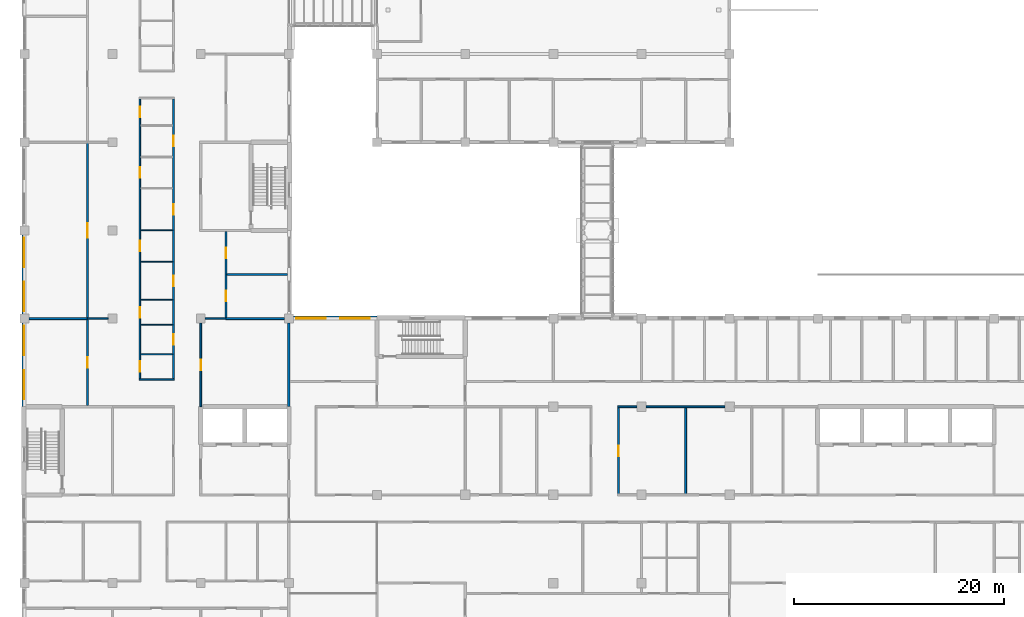
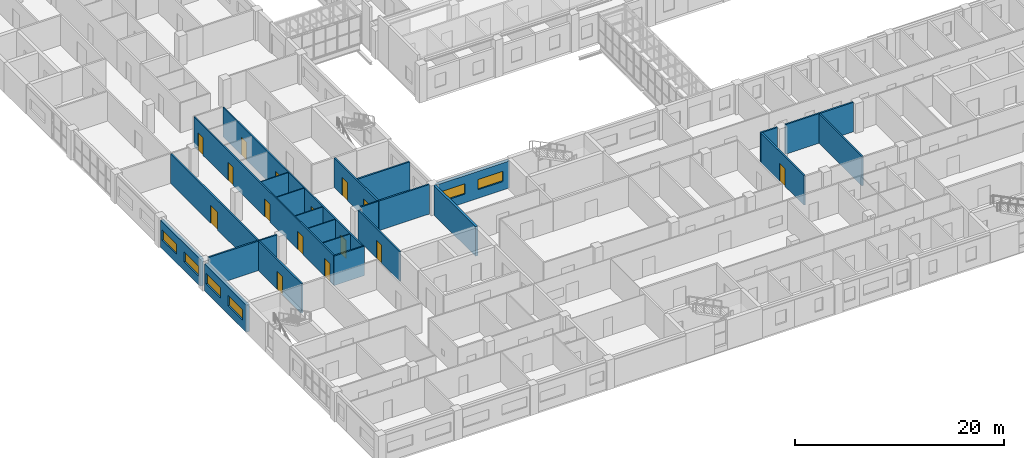
# One storey, part 55 of 94: 25 walls, 15 doors, 6 windows, 21 openings.
"""IFC4 building model written with IfcOpenShell, lengths in metres."""

from ifc_helpers import new_model, si_unit, direction, frame, frame_2d, origin, place, context, subcontext, project, spatial, rectangle, extrude, material, layer, layer_set, type_object, element, fill, save


model = new_model("IFC4")

# Units and contexts
model_context = context("Model", 3, precision=1e-05, world=origin(), true_north=direction((0.0, 1.0)))
body_context = subcontext(model_context, "Body", "Model", "MODEL_VIEW")
ifc_project = project(units=[si_unit("LENGTHUNIT", "METRE"), si_unit("AREAUNIT", "SQUARE_METRE"), si_unit("VOLUMEUNIT", "CUBIC_METRE"), si_unit("PLANEANGLEUNIT", "RADIAN"), si_unit("MASSUNIT", "GRAM", prefix="KILO")], contexts=[model_context])

# Site, building, storey
site_placement = place(None, origin())
site = spatial("IfcSite", under=ifc_project, at=site_placement, CompositionType="ELEMENT")
building_placement = place(site_placement, origin())
building = spatial("IfcBuilding", under=site, at=building_placement, Name="Yavir Park General Hospital", CompositionType="ELEMENT")
storey_placement = place(building_placement, frame((0.0, 0.0, 4.5)))
storey = spatial("IfcBuildingStorey", under=building, at=storey_placement, Name="L01", CompositionType="ELEMENT", Elevation=4.5)

# Walls
ifc_material_1 = material(Name="Double-leaf gypsum board acoustic partition on staggered studs")
ifc_layer_1 = layer(ifc_material_1, 0.175048828125)
ifc_layer_set_1 = layer_set([ifc_layer_1], Name="Double-leaf gypsum board acoustic partition on staggered studs")
wall_type_1 = type_object("IfcWallType", Name="Acoustic partition 175", PredefinedType="PARTITIONING", material=ifc_layer_set_1)
wall_1_placement = place(storey_placement, frame((56.512451171875, 25.199951171875, 0.0), z_axis=(0.0, 0.0, 1.0), x_axis=(1.0, 0.0, 0.0)))
element("IfcWall", 1, at=wall_1_placement, inside=storey, type_object=wall_type_1, Name="AP175 L01-099", PredefinedType="PARTITIONING", context=body_context, shape_type="SweptSolid", body=[
    extrude(rectangle(XDim=1.837646484375, YDim=0.175048828125, at=frame_2d((0.9189453125, 0.0))), origin(), (0.0, 0.0, 1.0), 3.449951171875),
])
wall_2_placement = place(storey_placement, frame((59.25, 25.199951171875, 0.0), z_axis=(0.0, 0.0, 1.0), x_axis=(1.0, 0.0, 0.0)))
element("IfcWall", 2, at=wall_2_placement, inside=storey, type_object=wall_type_1, Name="AP175 L01-100", PredefinedType="PARTITIONING", context=body_context, shape_type="SweptSolid", body=[
    extrude(rectangle(XDim=7.5, YDim=0.175048828125, at=frame_2d((3.75, 0.0))), origin(), (0.0, 0.0, 1.0), 3.449951171875),
])
for number, where, z_axis, x_axis, name in (
    (3, (0.425048828125, 33.60009765625, 0.0), (0.0, 0.0, 1.0), (1.0, 0.0, 0.0), "AP175 L01-127"),
    (4, (19.199951171875, 33.60009765625, 0.0), (0.0, 0.0, 1.0), (1.0, 0.0, 0.0), "AP175 L01-130"),
):
    element("IfcWall", number, at=place(storey_placement, frame(where, z_axis=z_axis, x_axis=x_axis)), inside=storey, type_object=wall_type_1, Name=name, PredefinedType="PARTITIONING", context=body_context, shape_type="SweptSolid", body=[
        extrude(rectangle(XDim=5.574951171875, YDim=0.175048828125, at=frame_2d((2.78759765625, 0.0))), origin(), (0.0, 0.0, 1.0), 3.449951171875),
    ])
wall_3_placement = place(storey_placement, frame((19.28759765625, 37.800048828125, 0.0), z_axis=(0.0, 0.0, 1.0), x_axis=(1.0, 0.0, 0.0)))
element("IfcWall", 5, at=wall_3_placement, inside=storey, type_object=wall_type_1, Name="AP175 L01-137", PredefinedType="PARTITIONING", context=body_context, shape_type="SweptSolid", body=[
    extrude(rectangle(XDim=5.762451171875, YDim=0.175048828125, at=frame_2d((2.88134765625, 0.0))), origin(), (0.0, 0.0, 1.0), 3.449951171875),
])

# Wall, opening, door
wall_4_placement = place(storey_placement, frame((6.0, 25.300048828125, 0.0), z_axis=(0.0, 0.0, 1.0), x_axis=(0.0, 1.0, 0.0)))
wall_4 = element("IfcWall", 6, at=wall_4_placement, inside=storey, type_object=wall_type_1, Name="AP175 L01-278", PredefinedType="PARTITIONING", context=body_context, shape_type="SweptSolid", body=[
    extrude(rectangle(XDim=8.21240234375, YDim=0.175048828125, at=frame_2d((4.106201171875, 0.0))), origin(), (0.0, 0.0, 1.0), 3.449951171875),
])
opening_1_placement = place(wall_4_placement, frame((3.606201171875, 0.0, 0.0)))
opening_1 = element("IfcOpeningElement", 7, at=opening_1_placement, cuts=wall_4, Name="Opening L01.D168", PredefinedType="OPENING", context=body_context, shape_type="SweptSolid", body=[
    extrude(rectangle(XDim=1.0, YDim=2.10009765625, at=frame_2d((0.5, 1.050048828125))), frame((0.0, 0.097412109375, 0.0), z_axis=(0.0, -1.0, 0.0), x_axis=(1.0, 0.0, 0.0)), (0.0, 0.0, 1.0), 0.195068359375),
])
ifc_material_2 = material(Name="Sealed solid-core acoustic door leaf, Rw 42 dB")
door_type_1 = type_object("IfcDoorType", Name="Acoustic door 1000 x 2100", OperationType="SINGLE_SWING_LEFT", PredefinedType="DOOR", material=ifc_material_2)
door_1_placement = place(opening_1_placement, origin())
door_1 = element("IfcDoor", 8, at=door_1_placement, inside=storey, type_object=door_type_1, Name="L01.D168", OperationType="SINGLE_SWING_RIGHT", OverallHeight=2.10009765625, OverallWidth=1.0, PredefinedType="DOOR", context=body_context, shape_type="SweptSolid", body=[
    extrude(rectangle(XDim=1.0, YDim=2.10009765625, at=frame_2d((0.5, 1.050048828125))), frame((0.0, 0.03515625, 0.0), z_axis=(0.0, -1.0, 0.0), x_axis=(1.0, 0.0, 0.0)), (0.0, 0.0, 1.0), 0.070068359375),
])
fill(opening_1, door_1)

wall_5_placement = place(storey_placement, frame((6.0, 33.6875, 0.0), z_axis=(0.0, 0.0, 1.0), x_axis=(0.0, 1.0, 0.0)))
wall_5 = element("IfcWall", 9, at=wall_5_placement, inside=storey, type_object=wall_type_1, Name="AP175 L01-279", PredefinedType="PARTITIONING", context=body_context, shape_type="SweptSolid", body=[
    extrude(rectangle(XDim=16.625, YDim=0.175048828125, at=frame_2d((8.3125, 0.0))), origin(), (0.0, 0.0, 1.0), 3.449951171875),
])
opening_2_placement = place(wall_5_placement, frame((7.612548828125, 0.0, 0.0)))
opening_2 = element("IfcOpeningElement", 10, at=opening_2_placement, cuts=wall_5, Name="Opening L01.D169", PredefinedType="OPENING", context=body_context, shape_type="SweptSolid", body=[
    extrude(rectangle(XDim=1.39990234375, YDim=2.10009765625, at=frame_2d((0.699951171875, 1.050048828125))), frame((0.0, 0.097412109375, 0.0), z_axis=(0.0, -1.0, 0.0), x_axis=(1.0, 0.0, 0.0)), (0.0, 0.0, 1.0), 0.195068359375),
])
ifc_material_3 = material(Name="Hollow metal frame, solid-core timber leaf", Category="wood")
door_type_2 = type_object("IfcDoorType", Name="Double swing door 1400 x 2100", OperationType="DOUBLE_DOOR_SINGLE_SWING", PredefinedType="DOOR", material=ifc_material_3)
door_2_placement = place(opening_2_placement, origin())
door_2 = element("IfcDoor", 11, at=door_2_placement, inside=storey, type_object=door_type_2, Name="L01.D169", OperationType="SINGLE_SWING_RIGHT", OverallHeight=2.10009765625, OverallWidth=1.39990234375, PredefinedType="DOOR", context=body_context, shape_type="SweptSolid", body=[
    extrude(rectangle(XDim=1.39990234375, YDim=2.10009765625, at=frame_2d((0.699951171875, 1.050048828125))), frame((0.0, 0.02490234375, 0.0), z_axis=(0.0, -1.0, 0.0), x_axis=(1.0, 0.0, 0.0)), (0.0, 0.0, 1.0), 0.050048828125),
])
fill(opening_2, door_2)

# Wall, openings, doors
wall_6_placement = place(storey_placement, frame((19.199951171875, 33.6875, 0.0), z_axis=(0.0, 0.0, 1.0), x_axis=(0.0, 1.0, 0.0)))
wall_6 = element("IfcWall", 12, at=wall_6_placement, inside=storey, type_object=wall_type_1, Name="AP175 L01-308", PredefinedType="PARTITIONING", context=body_context, shape_type="SweptSolid", body=[
    extrude(rectangle(XDim=8.21240234375, YDim=0.175048828125, at=frame_2d((4.106201171875, 0.0))), origin(), (0.0, 0.0, 1.0), 3.449951171875),
])
opening_3_placement = place(wall_6_placement, frame((1.55615234375, 0.0, 0.0)))
opening_3 = element("IfcOpeningElement", 13, at=opening_3_placement, cuts=wall_6, Name="Opening L01.D213", PredefinedType="OPENING", context=body_context, shape_type="SweptSolid", body=[
    extrude(rectangle(XDim=1.0, YDim=2.10009765625, at=frame_2d((0.5, 1.050048828125))), frame((0.0, 0.097412109375, 0.0), z_axis=(0.0, -1.0, 0.0), x_axis=(1.0, 0.0, 0.0)), (0.0, 0.0, 1.0), 0.195068359375),
])
opening_4_placement = place(wall_6_placement, frame((5.66259765625, 0.0, 0.0)))
opening_4 = element("IfcOpeningElement", 14, at=opening_4_placement, cuts=wall_6, Name="Opening L01.D214", PredefinedType="OPENING", context=body_context, shape_type="SweptSolid", body=[
    extrude(rectangle(XDim=1.0, YDim=2.10009765625, at=frame_2d((0.5, 1.050048828125))), frame((0.0, 0.097412109375, 0.0), z_axis=(0.0, -1.0, 0.0), x_axis=(1.0, 0.0, 0.0)), (0.0, 0.0, 1.0), 0.195068359375),
])
door_3_placement = place(opening_3_placement, origin())
door_3 = element("IfcDoor", 15, at=door_3_placement, inside=storey, type_object=door_type_1, Name="L01.D213", OperationType="SINGLE_SWING_RIGHT", OverallHeight=2.10009765625, OverallWidth=1.0, PredefinedType="DOOR", context=body_context, shape_type="SweptSolid", body=[
    extrude(rectangle(XDim=1.0, YDim=2.10009765625, at=frame_2d((0.5, 1.050048828125))), frame((0.0, 0.03515625, 0.0), z_axis=(0.0, -1.0, 0.0), x_axis=(1.0, 0.0, 0.0)), (0.0, 0.0, 1.0), 0.070068359375),
])
fill(opening_3, door_3)
door_4_placement = place(opening_4_placement, origin())
door_4 = element("IfcDoor", 16, at=door_4_placement, inside=storey, type_object=door_type_1, Name="L01.D214", OperationType="SINGLE_SWING_LEFT", OverallHeight=2.10009765625, OverallWidth=1.0, PredefinedType="DOOR", context=body_context, shape_type="SweptSolid", body=[
    extrude(rectangle(XDim=1.0, YDim=2.10009765625, at=frame_2d((0.5, 1.050048828125))), frame((0.0, 0.03515625, 0.0), z_axis=(0.0, -1.0, 0.0), x_axis=(1.0, 0.0, 0.0)), (0.0, 0.0, 1.0), 0.070068359375),
])
fill(opening_4, door_4)

# Wall, opening, door
wall_7_placement = place(storey_placement, frame((56.60009765625, 16.887451171875, 0.0), z_axis=(0.0, 0.0, 1.0), x_axis=(0.0, 1.0, 0.0)))
wall_7 = element("IfcWall", 17, at=wall_7_placement, inside=storey, type_object=wall_type_1, Name="AP175 L01-358", PredefinedType="PARTITIONING", context=body_context, shape_type="SweptSolid", body=[
    extrude(rectangle(XDim=8.22509765625, YDim=0.175048828125, at=frame_2d((4.112548828125, 0.0))), origin(), (0.0, 0.0, 1.0), 3.449951171875),
])
opening_5_placement = place(wall_7_placement, frame((3.612548828125, 0.0, 0.0)))
opening_5 = element("IfcOpeningElement", 18, at=opening_5_placement, cuts=wall_7, Name="Opening L01.D233", PredefinedType="OPENING", context=body_context, shape_type="SweptSolid", body=[
    extrude(rectangle(XDim=1.0, YDim=2.10009765625, at=frame_2d((0.5, 1.050048828125))), frame((0.0, 0.097412109375, 0.0), z_axis=(0.0, -1.0, 0.0), x_axis=(1.0, 0.0, 0.0)), (0.0, 0.0, 1.0), 0.195068359375),
])
door_5_placement = place(opening_5_placement, origin())
door_5 = element("IfcDoor", 19, at=door_5_placement, inside=storey, type_object=door_type_1, Name="L01.D233", OperationType="SINGLE_SWING_LEFT", OverallHeight=2.10009765625, OverallWidth=1.0, PredefinedType="DOOR", context=body_context, shape_type="SweptSolid", body=[
    extrude(rectangle(XDim=1.0, YDim=2.10009765625, at=frame_2d((0.5, 1.050048828125))), frame((0.0, 0.03515625, 0.0), z_axis=(0.0, -1.0, 0.0), x_axis=(1.0, 0.0, 0.0)), (0.0, 0.0, 1.0), 0.070068359375),
])
fill(opening_5, door_5)

# Walls
wall_8_placement = place(storey_placement, frame((63.0, 16.887451171875, 0.0), z_axis=(0.0, 0.0, 1.0), x_axis=(0.0, 1.0, 0.0)))
element("IfcWall", 20, at=wall_8_placement, inside=storey, type_object=wall_type_1, Name="AP175 L01-369", PredefinedType="PARTITIONING", context=body_context, shape_type="SweptSolid", body=[
    extrude(rectangle(XDim=8.22509765625, YDim=0.175048828125, at=frame_2d((4.112548828125, 0.0))), origin(), (0.0, 0.0, 1.0), 3.449951171875),
])
ifc_material_4 = material(Name="Concrete C30/37", Category="concrete")
ifc_layer_2 = layer(ifc_material_4, 0.25)
ifc_layer_set_2 = layer_set([ifc_layer_2], Name="Concrete C30/37")
wall_type_2 = type_object("IfcWallType", Name="Compartment fire wall 250, REI 150", PredefinedType="SOLIDWALL", material=ifc_layer_set_2)
wall_9_placement = place(storey_placement, frame((25.199951171875, 25.199951171875, 0.0), z_axis=(0.0, 0.0, 1.0), x_axis=(0.0, 1.0, 0.0)))
element("IfcWall", 21, at=wall_9_placement, inside=storey, type_object=wall_type_2, Name="FW25 L01-323", PredefinedType="SOLIDWALL", context=body_context, shape_type="SweptSolid", body=[
    extrude(rectangle(XDim=7.97509765625, YDim=0.25, at=frame_2d((3.987548828125, 0.0))), origin(), (0.0, 0.0, 1.0), 3.449951171875),
])
ifc_material_5 = material(Name="Gypsum board partition on steel studs", Category="steel")
ifc_layer_3 = layer(ifc_material_5, 0.10009765625)
ifc_layer_set_3 = layer_set([ifc_layer_3], Name="Gypsum board partition on steel studs")
wall_type_3 = type_object("IfcWallType", Name="Gypsum board partition 100", PredefinedType="PARTITIONING", material=ifc_layer_set_3)
for number, where, z_axis, x_axis, name in (
    (22, (11.074951171875, 30.199951171875, 0.0), (0.0, 0.0, 1.0), (1.0, 0.0, 0.0), "P10 L01-125"),
    (23, (11.074951171875, 33.0, 0.0), (0.0, 0.0, 1.0), (1.0, 0.0, 0.0), "P10 L01-126"),
    (24, (11.074951171875, 35.39990234375, 0.0), (0.0, 0.0, 1.0), (1.0, 0.0, 0.0), "P10 L01-135"),
    (25, (11.074951171875, 39.0, 0.0), (0.0, 0.0, 1.0), (1.0, 0.0, 0.0), "P10 L01-139"),
    (26, (11.074951171875, 42.0, 0.0), (0.0, 0.0, 1.0), (1.0, 0.0, 0.0), "P10 L01-141"),
):
    element("IfcWall", number, at=place(storey_placement, frame(where, z_axis=z_axis, x_axis=x_axis)), inside=storey, type_object=wall_type_3, Name=name, PredefinedType="PARTITIONING", context=body_context, shape_type="SweptSolid", body=[
        extrude(rectangle(XDim=3.050048828125, YDim=0.10009765625, at=frame_2d((1.52490234375, 0.0))), origin(), (0.0, 0.0, 1.0), 3.449951171875),
    ])
ifc_material_6 = material(Name="Gypsum board partition on steel studs", Category="steel")
ifc_layer_4 = layer(ifc_material_6, 0.14990234375)
ifc_layer_set_4 = layer_set([ifc_layer_4], Name="Gypsum board partition on steel studs")
wall_type_4 = type_object("IfcWallType", Name="Gypsum board partition 150", PredefinedType="PARTITIONING", material=ifc_layer_set_4)
wall_10_placement = place(storey_placement, frame((10.925048828125, 27.800048828125, 0.0), z_axis=(0.0, 0.0, 1.0), x_axis=(1.0, 0.0, 0.0)))
element("IfcWall", 27, at=wall_10_placement, inside=storey, type_object=wall_type_4, Name="P15 L01-122", PredefinedType="PARTITIONING", context=body_context, shape_type="SweptSolid", body=[
    extrude(rectangle(XDim=3.349853515625, YDim=0.14990234375, at=frame_2d((1.6748046875, 0.0))), origin(), (0.0, 0.0, 1.0), 3.449951171875),
])
wall_11_placement = place(storey_placement, frame((6.0, 33.60009765625, 0.0), z_axis=(0.0, 0.0, 1.0), x_axis=(1.0, 0.0, 0.0)))
element("IfcWall", 28, at=wall_11_placement, inside=storey, type_object=wall_type_4, Name="P15 L01-128", PredefinedType="PARTITIONING", context=body_context, shape_type="SweptSolid", body=[
    extrude(rectangle(XDim=1.97509765625, YDim=0.14990234375, at=frame_2d((0.987548828125, 0.0))), origin(), (0.0, 0.0, 1.0), 3.449951171875),
])
wall_12_placement = place(storey_placement, frame((17.22509765625, 33.60009765625, 0.0), z_axis=(0.0, 0.0, 1.0), x_axis=(1.0, 0.0, 0.0)))
element("IfcWall", 29, at=wall_12_placement, inside=storey, type_object=wall_type_4, Name="P15 L01-129", PredefinedType="PARTITIONING", context=body_context, shape_type="SweptSolid", body=[
    extrude(rectangle(XDim=1.974853515625, YDim=0.14990234375, at=frame_2d((0.9873046875, 0.0))), origin(), (0.0, 0.0, 1.0), 3.449951171875),
])

# Wall, openings, doors
wall_13_placement = place(storey_placement, frame((11.0, 27.875, 0.0), z_axis=(0.0, 0.0, 1.0), x_axis=(0.0, 1.0, 0.0)))
wall_13 = element("IfcWall", 30, at=wall_13_placement, inside=storey, type_object=wall_type_4, Name="P15 L01-288", PredefinedType="PARTITIONING", context=body_context, shape_type="SweptSolid", body=[
    extrude(rectangle(XDim=26.64990234375, YDim=0.14990234375, at=frame_2d((13.324951171875, 0.0))), origin(), (0.0, 0.0, 1.0), 3.449951171875),
])
opening_6_placement = place(wall_13_placement, frame((0.66259765625, 0.0, 0.0)))
opening_6 = element("IfcOpeningElement", 31, at=opening_6_placement, cuts=wall_13, Name="Opening L01.D180", PredefinedType="OPENING", context=body_context, shape_type="SweptSolid", body=[
    extrude(rectangle(XDim=1.0, YDim=2.10009765625, at=frame_2d((0.5, 1.050048828125))), frame((0.0, 0.0849609375, 0.0), z_axis=(0.0, -1.0, 0.0), x_axis=(1.0, 0.0, 0.0)), (0.0, 0.0, 1.0), 0.169921875),
])
opening_7_placement = place(wall_13_placement, frame((5.824951171875, 0.0, 0.0)))
opening_7 = element("IfcOpeningElement", 32, at=opening_7_placement, cuts=wall_13, Name="Opening L01.D181", PredefinedType="OPENING", context=body_context, shape_type="SweptSolid", body=[
    extrude(rectangle(XDim=1.0, YDim=2.10009765625, at=frame_2d((0.5, 1.050048828125))), frame((0.0, 0.0849609375, 0.0), z_axis=(0.0, -1.0, 0.0), x_axis=(1.0, 0.0, 0.0)), (0.0, 0.0, 1.0), 0.169921875),
])
opening_8_placement = place(wall_13_placement, frame((12.125, 0.0, 0.0)))
opening_8 = element("IfcOpeningElement", 33, at=opening_8_placement, cuts=wall_13, Name="Opening L01.D182", PredefinedType="OPENING", context=body_context, shape_type="SweptSolid", body=[
    extrude(rectangle(XDim=1.0, YDim=2.10009765625, at=frame_2d((0.5, 1.050048828125))), frame((0.0, 0.0849609375, 0.0), z_axis=(0.0, -1.0, 0.0), x_axis=(1.0, 0.0, 0.0)), (0.0, 0.0, 1.0), 0.169921875),
])
opening_9_placement = place(wall_13_placement, frame((19.125, 0.0, 0.0)))
opening_9 = element("IfcOpeningElement", 34, at=opening_9_placement, cuts=wall_13, Name="Opening L01.D183", PredefinedType="OPENING", context=body_context, shape_type="SweptSolid", body=[
    extrude(rectangle(XDim=1.0, YDim=2.10009765625, at=frame_2d((0.5, 1.050048828125))), frame((0.0, 0.0849609375, 0.0), z_axis=(0.0, -1.0, 0.0), x_axis=(1.0, 0.0, 0.0)), (0.0, 0.0, 1.0), 0.169921875),
])
opening_10_placement = place(wall_13_placement, frame((24.887451171875, 0.0, 0.0)))
opening_10 = element("IfcOpeningElement", 35, at=opening_10_placement, cuts=wall_13, Name="Opening L01.D184", PredefinedType="OPENING", context=body_context, shape_type="SweptSolid", body=[
    extrude(rectangle(XDim=1.0, YDim=2.10009765625, at=frame_2d((0.5, 1.050048828125))), frame((0.0, 0.0849609375, 0.0), z_axis=(0.0, -1.0, 0.0), x_axis=(1.0, 0.0, 0.0)), (0.0, 0.0, 1.0), 0.169921875),
])
ifc_material_7 = material(Name="Hollow metal frame, solid-core timber leaf", Category="wood")
door_type_3 = type_object("IfcDoorType", Name="Single swing door 1000 x 2100", OperationType="SINGLE_SWING_LEFT", PredefinedType="DOOR", material=ifc_material_7)
door_6_placement = place(opening_6_placement, origin())
door_6 = element("IfcDoor", 36, at=door_6_placement, inside=storey, type_object=door_type_3, Name="L01.D180", OperationType="SINGLE_SWING_RIGHT", OverallHeight=2.10009765625, OverallWidth=1.0, PredefinedType="DOOR", context=body_context, shape_type="SweptSolid", body=[
    extrude(rectangle(XDim=1.0, YDim=2.10009765625, at=frame_2d((0.5, 1.050048828125))), frame((0.0, 0.02490234375, 0.0), z_axis=(0.0, -1.0, 0.0), x_axis=(1.0, 0.0, 0.0)), (0.0, 0.0, 1.0), 0.050048828125),
])
fill(opening_6, door_6)
door_7_placement = place(opening_7_placement, origin())
door_7 = element("IfcDoor", 37, at=door_7_placement, inside=storey, type_object=door_type_3, Name="L01.D181", OperationType="SINGLE_SWING_LEFT", OverallHeight=2.10009765625, OverallWidth=1.0, PredefinedType="DOOR", context=body_context, shape_type="SweptSolid", body=[
    extrude(rectangle(XDim=1.0, YDim=2.10009765625, at=frame_2d((0.5, 1.050048828125))), frame((0.0, 0.02490234375, 0.0), z_axis=(0.0, -1.0, 0.0), x_axis=(1.0, 0.0, 0.0)), (0.0, 0.0, 1.0), 0.050048828125),
])
fill(opening_7, door_7)
door_8_placement = place(opening_8_placement, origin())
door_8 = element("IfcDoor", 38, at=door_8_placement, inside=storey, type_object=door_type_3, Name="L01.D182", OperationType="SINGLE_SWING_LEFT", OverallHeight=2.10009765625, OverallWidth=1.0, PredefinedType="DOOR", context=body_context, shape_type="SweptSolid", body=[
    extrude(rectangle(XDim=1.0, YDim=2.10009765625, at=frame_2d((0.5, 1.050048828125))), frame((0.0, 0.02490234375, 0.0), z_axis=(0.0, -1.0, 0.0), x_axis=(1.0, 0.0, 0.0)), (0.0, 0.0, 1.0), 0.050048828125),
])
fill(opening_8, door_8)
door_9_placement = place(opening_9_placement, origin())
door_9 = element("IfcDoor", 39, at=door_9_placement, inside=storey, type_object=door_type_3, Name="L01.D183", OperationType="SINGLE_SWING_LEFT", OverallHeight=2.10009765625, OverallWidth=1.0, PredefinedType="DOOR", context=body_context, shape_type="SweptSolid", body=[
    extrude(rectangle(XDim=1.0, YDim=2.10009765625, at=frame_2d((0.5, 1.050048828125))), frame((0.0, 0.02490234375, 0.0), z_axis=(0.0, -1.0, 0.0), x_axis=(1.0, 0.0, 0.0)), (0.0, 0.0, 1.0), 0.050048828125),
])
fill(opening_9, door_9)
door_10_placement = place(opening_10_placement, origin())
door_10 = element("IfcDoor", 40, at=door_10_placement, inside=storey, type_object=door_type_3, Name="L01.D184", OperationType="SINGLE_SWING_RIGHT", OverallHeight=2.10009765625, OverallWidth=1.0, PredefinedType="DOOR", context=body_context, shape_type="SweptSolid", body=[
    extrude(rectangle(XDim=1.0, YDim=2.10009765625, at=frame_2d((0.5, 1.050048828125))), frame((0.0, 0.02490234375, 0.0), z_axis=(0.0, -1.0, 0.0), x_axis=(1.0, 0.0, 0.0)), (0.0, 0.0, 1.0), 0.050048828125),
])
fill(opening_10, door_10)

wall_14_placement = place(storey_placement, frame((14.199951171875, 27.875, 0.0), z_axis=(0.0, 0.0, 1.0), x_axis=(0.0, 1.0, 0.0)))
wall_14 = element("IfcWall", 41, at=wall_14_placement, inside=storey, type_object=wall_type_4, Name="P15 L01-295", PredefinedType="PARTITIONING", context=body_context, shape_type="SweptSolid", body=[
    extrude(rectangle(XDim=26.64990234375, YDim=0.14990234375, at=frame_2d((13.324951171875, 0.0))), origin(), (0.0, 0.0, 1.0), 3.449951171875),
])
opening_11_placement = place(wall_14_placement, frame((3.22509765625, 0.0, 0.0)))
opening_11 = element("IfcOpeningElement", 42, at=opening_11_placement, cuts=wall_14, Name="Opening L01.D195", PredefinedType="OPENING", context=body_context, shape_type="SweptSolid", body=[
    extrude(rectangle(XDim=1.0, YDim=2.10009765625, at=frame_2d((0.5, 1.050048828125))), frame((0.0, 0.0849609375, 0.0), z_axis=(0.0, -1.0, 0.0), x_axis=(1.0, 0.0, 0.0)), (0.0, 0.0, 1.0), 0.169921875),
])
opening_12_placement = place(wall_14_placement, frame((8.824951171875, 0.0, 0.0)))
opening_12 = element("IfcOpeningElement", 43, at=opening_12_placement, cuts=wall_14, Name="Opening L01.D196", PredefinedType="OPENING", context=body_context, shape_type="SweptSolid", body=[
    extrude(rectangle(XDim=1.0, YDim=2.10009765625, at=frame_2d((0.5, 1.050048828125))), frame((0.0, 0.0849609375, 0.0), z_axis=(0.0, -1.0, 0.0), x_axis=(1.0, 0.0, 0.0)), (0.0, 0.0, 1.0), 0.169921875),
])
opening_13_placement = place(wall_14_placement, frame((15.625, 0.0, 0.0)))
opening_13 = element("IfcOpeningElement", 44, at=opening_13_placement, cuts=wall_14, Name="Opening L01.D197", PredefinedType="OPENING", context=body_context, shape_type="SweptSolid", body=[
    extrude(rectangle(XDim=1.0, YDim=2.10009765625, at=frame_2d((0.5, 1.050048828125))), frame((0.0, 0.0849609375, 0.0), z_axis=(0.0, -1.0, 0.0), x_axis=(1.0, 0.0, 0.0)), (0.0, 0.0, 1.0), 0.169921875),
])
opening_14_placement = place(wall_14_placement, frame((22.125, 0.0, 0.0)))
opening_14 = element("IfcOpeningElement", 45, at=opening_14_placement, cuts=wall_14, Name="Opening L01.D198", PredefinedType="OPENING", context=body_context, shape_type="SweptSolid", body=[
    extrude(rectangle(XDim=1.0, YDim=2.10009765625, at=frame_2d((0.5, 1.050048828125))), frame((0.0, 0.0849609375, 0.0), z_axis=(0.0, -1.0, 0.0), x_axis=(1.0, 0.0, 0.0)), (0.0, 0.0, 1.0), 0.169921875),
])
door_11_placement = place(opening_11_placement, origin())
door_11 = element("IfcDoor", 46, at=door_11_placement, inside=storey, type_object=door_type_3, Name="L01.D195", OperationType="SINGLE_SWING_RIGHT", OverallHeight=2.10009765625, OverallWidth=1.0, PredefinedType="DOOR", context=body_context, shape_type="SweptSolid", body=[
    extrude(rectangle(XDim=1.0, YDim=2.10009765625, at=frame_2d((0.5, 1.050048828125))), frame((0.0, 0.02490234375, 0.0), z_axis=(0.0, -1.0, 0.0), x_axis=(1.0, 0.0, 0.0)), (0.0, 0.0, 1.0), 0.050048828125),
])
fill(opening_11, door_11)
door_12_placement = place(opening_12_placement, origin())
door_12 = element("IfcDoor", 47, at=door_12_placement, inside=storey, type_object=door_type_3, Name="L01.D196", OperationType="SINGLE_SWING_RIGHT", OverallHeight=2.10009765625, OverallWidth=1.0, PredefinedType="DOOR", context=body_context, shape_type="SweptSolid", body=[
    extrude(rectangle(XDim=1.0, YDim=2.10009765625, at=frame_2d((0.5, 1.050048828125))), frame((0.0, 0.02490234375, 0.0), z_axis=(0.0, -1.0, 0.0), x_axis=(1.0, 0.0, 0.0)), (0.0, 0.0, 1.0), 0.050048828125),
])
fill(opening_12, door_12)
door_13_placement = place(opening_13_placement, origin())
door_13 = element("IfcDoor", 48, at=door_13_placement, inside=storey, type_object=door_type_3, Name="L01.D197", OperationType="SINGLE_SWING_RIGHT", OverallHeight=2.10009765625, OverallWidth=1.0, PredefinedType="DOOR", context=body_context, shape_type="SweptSolid", body=[
    extrude(rectangle(XDim=1.0, YDim=2.10009765625, at=frame_2d((0.5, 1.050048828125))), frame((0.0, 0.02490234375, 0.0), z_axis=(0.0, -1.0, 0.0), x_axis=(1.0, 0.0, 0.0)), (0.0, 0.0, 1.0), 0.050048828125),
])
fill(opening_13, door_13)
door_14_placement = place(opening_14_placement, origin())
door_14 = element("IfcDoor", 49, at=door_14_placement, inside=storey, type_object=door_type_3, Name="L01.D198", OperationType="SINGLE_SWING_RIGHT", OverallHeight=2.10009765625, OverallWidth=1.0, PredefinedType="DOOR", context=body_context, shape_type="SweptSolid", body=[
    extrude(rectangle(XDim=1.0, YDim=2.10009765625, at=frame_2d((0.5, 1.050048828125))), frame((0.0, 0.02490234375, 0.0), z_axis=(0.0, -1.0, 0.0), x_axis=(1.0, 0.0, 0.0)), (0.0, 0.0, 1.0), 0.050048828125),
])
fill(opening_14, door_14)

# Wall, opening, door
wall_15_placement = place(storey_placement, frame((16.800048828125, 25.199951171875, 0.0), z_axis=(0.0, 0.0, 1.0), x_axis=(0.0, 1.0, 0.0)))
wall_15 = element("IfcWall", 50, at=wall_15_placement, inside=storey, type_object=wall_type_4, Name="P15 L01-303", PredefinedType="PARTITIONING", context=body_context, shape_type="SweptSolid", body=[
    extrude(rectangle(XDim=7.97509765625, YDim=0.14990234375, at=frame_2d((3.987548828125, 0.0))), origin(), (0.0, 0.0, 1.0), 3.449951171875),
])
opening_15_placement = place(wall_15_placement, frame((3.487548828125, 0.0, 0.0)))
opening_15 = element("IfcOpeningElement", 51, at=opening_15_placement, cuts=wall_15, Name="Opening L01.D209", PredefinedType="OPENING", context=body_context, shape_type="SweptSolid", body=[
    extrude(rectangle(XDim=1.0, YDim=2.10009765625, at=frame_2d((0.5, 1.050048828125))), frame((0.0, 0.0849609375, 0.0), z_axis=(0.0, -1.0, 0.0), x_axis=(1.0, 0.0, 0.0)), (0.0, 0.0, 1.0), 0.169921875),
])
door_15_placement = place(opening_15_placement, origin())
door_15 = element("IfcDoor", 52, at=door_15_placement, inside=storey, type_object=door_type_3, Name="L01.D209", OperationType="SINGLE_SWING_LEFT", OverallHeight=2.10009765625, OverallWidth=1.0, PredefinedType="DOOR", context=body_context, shape_type="SweptSolid", body=[
    extrude(rectangle(XDim=1.0, YDim=2.10009765625, at=frame_2d((0.5, 1.050048828125))), frame((0.0, 0.02490234375, 0.0), z_axis=(0.0, -1.0, 0.0), x_axis=(1.0, 0.0, 0.0)), (0.0, 0.0, 1.0), 0.050048828125),
])
fill(opening_15, door_15)

# Wall, openings, windows
ifc_material_8 = material(Name="Autoclaved aerated block, 150 mm mineral wool and sand-coloured mineral render")
ifc_layer_5 = layer(ifc_material_8, 0.375)
ifc_layer_set_5 = layer_set([ifc_layer_5], Name="Autoclaved aerated block, 150 mm mineral wool and sand-coloured mineral render")
wall_type_5 = type_object("IfcWallType", Name="Mineral render clinical wall 375, E 30", PredefinedType="SOLIDWALL", material=ifc_layer_set_5)
wall_16_placement = place(storey_placement, frame((25.625, 33.637451171875, 0.0), z_axis=(0.0, 0.0, 1.0), x_axis=(1.0, 0.0, 0.0)))
wall_16 = element("IfcWall", 53, at=wall_16_placement, inside=storey, type_object=wall_type_5, Name="XW1 L01-052", PredefinedType="SOLIDWALL", context=body_context, shape_type="SweptSolid", body=[
    extrude(rectangle(XDim=7.97509765625, YDim=0.375, at=frame_2d((3.987548828125, 0.0))), origin(), (0.0, 0.0, 1.0), 3.14990234375),
])
opening_16_placement = place(wall_16_placement, frame((0.27490234375, 0.0, 1.0)))
opening_16 = element("IfcOpeningElement", 54, at=opening_16_placement, cuts=wall_16, Name="Opening WRB", PredefinedType="OPENING", context=body_context, shape_type="SweptSolid", body=[
    extrude(rectangle(XDim=2.800048828125, YDim=1.199951171875, at=frame_2d((1.39990234375, 0.60009765625))), frame((0.0, 0.197509765625, 0.0), z_axis=(0.0, -1.0, 0.0), x_axis=(1.0, 0.0, 0.0)), (0.0, 0.0, 1.0), 0.39501953125),
])
opening_17_placement = place(wall_16_placement, frame((4.47509765625, 0.0, 1.0)))
opening_17 = element("IfcOpeningElement", 55, at=opening_17_placement, cuts=wall_16, Name="Opening WRB", PredefinedType="OPENING", context=body_context, shape_type="SweptSolid", body=[
    extrude(rectangle(XDim=2.800048828125, YDim=1.199951171875, at=frame_2d((1.39990234375, 0.60009765625))), frame((0.0, 0.197509765625, 0.0), z_axis=(0.0, -1.0, 0.0), x_axis=(1.0, 0.0, 0.0)), (0.0, 0.0, 1.0), 0.39501953125),
])
ifc_material_9 = material(Name="Aluminium frame, double glazed unit", Category="aluminium")
window_type = type_object("IfcWindowType", Name="Ribbon window 2800 x 1200", PartitioningType="DOUBLE_PANEL_VERTICAL", PredefinedType="WINDOW", material=ifc_material_9)
window_1_placement = place(opening_16_placement, origin())
window_1 = element("IfcWindow", 56, at=window_1_placement, inside=storey, type_object=window_type, Name="WRB L01-028", OverallHeight=1.199951171875, OverallWidth=2.800048828125, PartitioningType="DOUBLE_PANEL_VERTICAL", PredefinedType="WINDOW", context=body_context, shape_type="SweptSolid", body=[
    extrude(rectangle(XDim=2.800048828125, YDim=1.199951171875, at=frame_2d((1.39990234375, 0.60009765625))), frame((0.0, 0.030029296875, 0.0), z_axis=(0.0, -1.0, 0.0), x_axis=(1.0, 0.0, 0.0)), (0.0, 0.0, 1.0), 0.06005859375),
])
fill(opening_16, window_1)
window_2_placement = place(opening_17_placement, origin())
window_2 = element("IfcWindow", 57, at=window_2_placement, inside=storey, type_object=window_type, Name="WRB L01-029", OverallHeight=1.199951171875, OverallWidth=2.800048828125, PartitioningType="DOUBLE_PANEL_VERTICAL", PredefinedType="WINDOW", context=body_context, shape_type="SweptSolid", body=[
    extrude(rectangle(XDim=2.800048828125, YDim=1.199951171875, at=frame_2d((1.39990234375, 0.60009765625))), frame((0.0, 0.030029296875, 0.0), z_axis=(0.0, -1.0, 0.0), x_axis=(1.0, 0.0, 0.0)), (0.0, 0.0, 1.0), 0.06005859375),
])
fill(opening_17, window_2)

wall_17_placement = place(storey_placement, frame((-0.03759765625, 25.199951171875, 0.0), z_axis=(0.0, 0.0, 1.0), x_axis=(0.0, 1.0, 0.0)))
wall_17 = element("IfcWall", 58, at=wall_17_placement, inside=storey, type_object=wall_type_5, Name="XW1 L01-141", PredefinedType="SOLIDWALL", context=body_context, shape_type="SweptSolid", body=[
    extrude(rectangle(XDim=7.97509765625, YDim=0.375, at=frame_2d((3.987548828125, 0.0))), origin(), (0.0, 0.0, 1.0), 3.14990234375),
])
opening_18_placement = place(wall_17_placement, frame((0.699951171875, 0.0, 1.0)))
opening_18 = element("IfcOpeningElement", 59, at=opening_18_placement, cuts=wall_17, Name="Opening WRB", PredefinedType="OPENING", context=body_context, shape_type="SweptSolid", body=[
    extrude(rectangle(XDim=2.800048828125, YDim=1.199951171875, at=frame_2d((1.39990234375, 0.60009765625))), frame((0.0, 0.197509765625, 0.0), z_axis=(0.0, -1.0, 0.0), x_axis=(1.0, 0.0, 0.0)), (0.0, 0.0, 1.0), 0.39501953125),
])
opening_19_placement = place(wall_17_placement, frame((4.89990234375, 0.0, 1.0)))
opening_19 = element("IfcOpeningElement", 60, at=opening_19_placement, cuts=wall_17, Name="Opening WRB", PredefinedType="OPENING", context=body_context, shape_type="SweptSolid", body=[
    extrude(rectangle(XDim=2.800048828125, YDim=1.199951171875, at=frame_2d((1.39990234375, 0.60009765625))), frame((0.0, 0.197509765625, 0.0), z_axis=(0.0, -1.0, 0.0), x_axis=(1.0, 0.0, 0.0)), (0.0, 0.0, 1.0), 0.39501953125),
])
window_3_placement = place(opening_18_placement, origin())
window_3 = element("IfcWindow", 61, at=window_3_placement, inside=storey, type_object=window_type, Name="WRB L01-075", OverallHeight=1.199951171875, OverallWidth=2.800048828125, PartitioningType="DOUBLE_PANEL_VERTICAL", PredefinedType="WINDOW", context=body_context, shape_type="SweptSolid", body=[
    extrude(rectangle(XDim=2.800048828125, YDim=1.199951171875, at=frame_2d((1.39990234375, 0.60009765625))), frame((0.0, 0.030029296875, 0.0), z_axis=(0.0, -1.0, 0.0), x_axis=(1.0, 0.0, 0.0)), (0.0, 0.0, 1.0), 0.06005859375),
])
fill(opening_18, window_3)
window_4_placement = place(opening_19_placement, origin())
window_4 = element("IfcWindow", 62, at=window_4_placement, inside=storey, type_object=window_type, Name="WRB L01-076", OverallHeight=1.199951171875, OverallWidth=2.800048828125, PartitioningType="DOUBLE_PANEL_VERTICAL", PredefinedType="WINDOW", context=body_context, shape_type="SweptSolid", body=[
    extrude(rectangle(XDim=2.800048828125, YDim=1.199951171875, at=frame_2d((1.39990234375, 0.60009765625))), frame((0.0, 0.030029296875, 0.0), z_axis=(0.0, -1.0, 0.0), x_axis=(1.0, 0.0, 0.0)), (0.0, 0.0, 1.0), 0.06005859375),
])
fill(opening_19, window_4)

wall_18_placement = place(storey_placement, frame((-0.03759765625, 34.02490234375, 0.0), z_axis=(0.0, 0.0, 1.0), x_axis=(0.0, 1.0, 0.0)))
wall_18 = element("IfcWall", 63, at=wall_18_placement, inside=storey, type_object=wall_type_5, Name="XW1 L01-142", PredefinedType="SOLIDWALL", context=body_context, shape_type="SweptSolid", body=[
    extrude(rectangle(XDim=7.550048828125, YDim=0.375, at=frame_2d((3.77490234375, 0.0))), origin(), (0.0, 0.0, 1.0), 3.14990234375),
])
opening_20_placement = place(wall_18_placement, frame((0.27490234375, 0.0, 1.0)))
opening_20 = element("IfcOpeningElement", 64, at=opening_20_placement, cuts=wall_18, Name="Opening WRB", PredefinedType="OPENING", context=body_context, shape_type="SweptSolid", body=[
    extrude(rectangle(XDim=2.800048828125, YDim=1.199951171875, at=frame_2d((1.39990234375, 0.60009765625))), frame((0.0, 0.197509765625, 0.0), z_axis=(0.0, -1.0, 0.0), x_axis=(1.0, 0.0, 0.0)), (0.0, 0.0, 1.0), 0.39501953125),
])
opening_21_placement = place(wall_18_placement, frame((4.47509765625, 0.0, 1.0)))
opening_21 = element("IfcOpeningElement", 65, at=opening_21_placement, cuts=wall_18, Name="Opening WRB", PredefinedType="OPENING", context=body_context, shape_type="SweptSolid", body=[
    extrude(rectangle(XDim=2.800048828125, YDim=1.199951171875, at=frame_2d((1.39990234375, 0.60009765625))), frame((0.0, 0.197509765625, 0.0), z_axis=(0.0, -1.0, 0.0), x_axis=(1.0, 0.0, 0.0)), (0.0, 0.0, 1.0), 0.39501953125),
])
window_5_placement = place(opening_20_placement, origin())
window_5 = element("IfcWindow", 66, at=window_5_placement, inside=storey, type_object=window_type, Name="WRB L01-077", OverallHeight=1.199951171875, OverallWidth=2.800048828125, PartitioningType="DOUBLE_PANEL_VERTICAL", PredefinedType="WINDOW", context=body_context, shape_type="SweptSolid", body=[
    extrude(rectangle(XDim=2.800048828125, YDim=1.199951171875, at=frame_2d((1.39990234375, 0.60009765625))), frame((0.0, 0.030029296875, 0.0), z_axis=(0.0, -1.0, 0.0), x_axis=(1.0, 0.0, 0.0)), (0.0, 0.0, 1.0), 0.06005859375),
])
fill(opening_20, window_5)
window_6_placement = place(opening_21_placement, origin())
window_6 = element("IfcWindow", 67, at=window_6_placement, inside=storey, type_object=window_type, Name="WRB L01-078", OverallHeight=1.199951171875, OverallWidth=2.800048828125, PartitioningType="DOUBLE_PANEL_VERTICAL", PredefinedType="WINDOW", context=body_context, shape_type="SweptSolid", body=[
    extrude(rectangle(XDim=2.800048828125, YDim=1.199951171875, at=frame_2d((1.39990234375, 0.60009765625))), frame((0.0, 0.030029296875, 0.0), z_axis=(0.0, -1.0, 0.0), x_axis=(1.0, 0.0, 0.0)), (0.0, 0.0, 1.0), 0.06005859375),
])
fill(opening_21, window_6)

save(model, "model.ifc")
